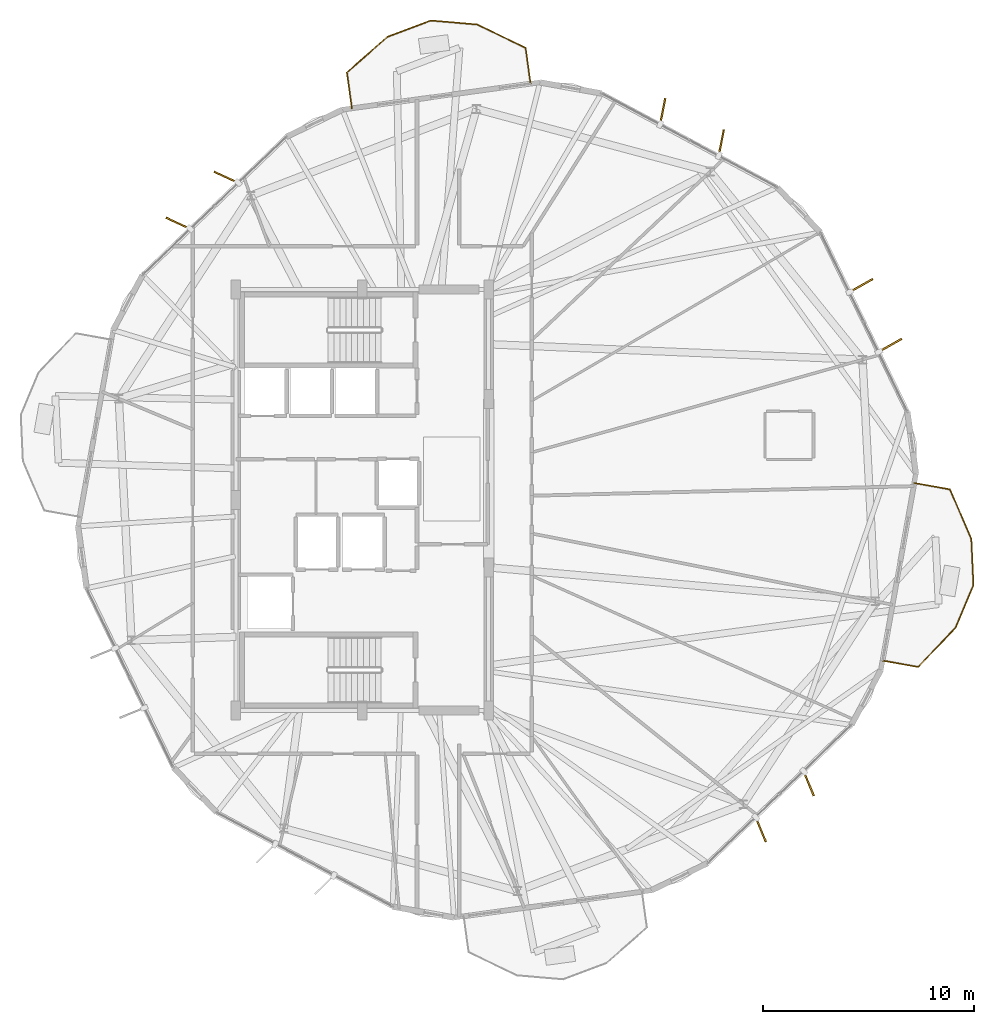
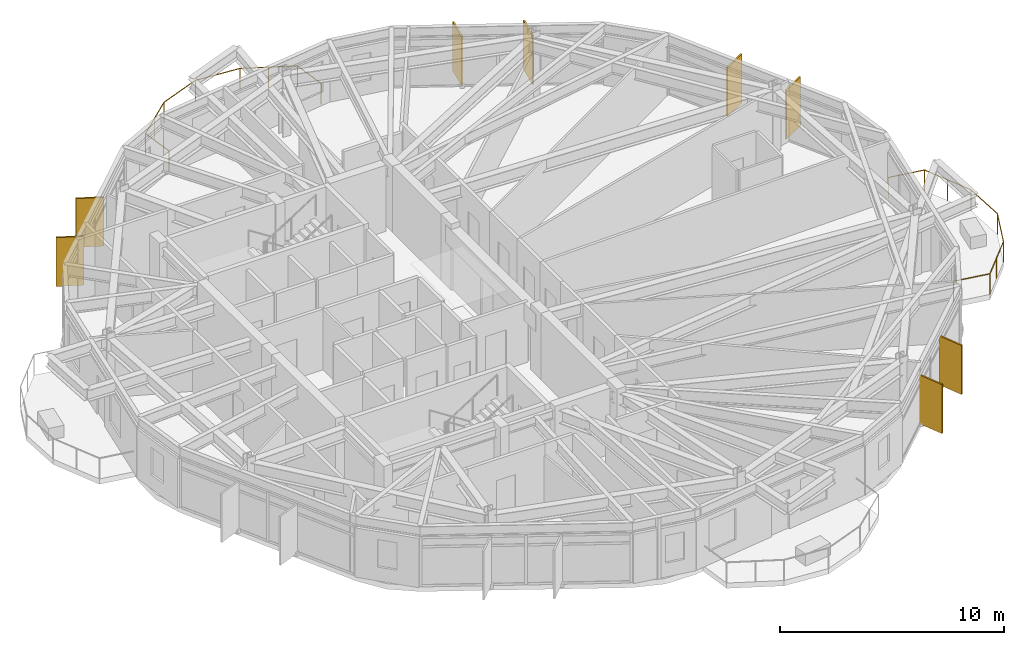
# One storey, part 26 of 26: 8 shading devices, 2 railings.
"""IFC4 building model written with IfcOpenShell, lengths in metres."""

from ifc_helpers import new_model, si_unit, direction, frame, origin, origin_2d, place, context, subcontext, project, spatial, rectangle, circle, extrude, material, layer, layer_set, type_object, element, save


model = new_model("IFC4")

# Units and contexts
model_context = context("Model", 3, precision=1e-05, world=origin(), true_north=direction((0.0, 1.0)))
body_context = subcontext(model_context, "Body", "Model", "MODEL_VIEW")
ifc_project = project(units=[si_unit("LENGTHUNIT", "METRE"), si_unit("AREAUNIT", "SQUARE_METRE"), si_unit("VOLUMEUNIT", "CUBIC_METRE"), si_unit("PLANEANGLEUNIT", "RADIAN"), si_unit("MASSUNIT", "GRAM", prefix="KILO")], contexts=[model_context])

# Site, building, storey
site_placement = place(None, origin())
site = spatial("IfcSite", under=ifc_project, at=site_placement, CompositionType="ELEMENT")
building_placement = place(site_placement, origin())
building = spatial("IfcBuilding", under=site, at=building_placement, Name="Soratama Intermodal Tower", CompositionType="ELEMENT")
storey_placement = place(building_placement, frame((0.0, 0.0, 194.199951171875)))
storey = spatial("IfcBuildingStorey", under=building, at=storey_placement, Name="L48", CompositionType="ELEMENT", Elevation=194.199951171875)

# Railings
ifc_material_1 = material(Name="Laminated glass and stainless steel balustrade", Category="steel")
railing_type = type_object("IfcRailingType", Name="RL-BAL-1150", PredefinedType="BALUSTRADE", material=ifc_material_1)
railing_1_placement = place(storey_placement, frame((64.826416015625, 25.8076171875, 0.0)))
element("IfcRailing", 1, at=railing_1_placement, inside=storey, type_object=railing_type, Name="L48 Balcony Balustrade 1", PredefinedType="BALUSTRADE", context=body_context, shape_type="SweptSolid", body=[
    extrude(circle(Radius=0.02392578125, at=origin_2d()), frame((0.0, 0.0, 1.1259765625), z_axis=(0.9843880728, -0.176011710205, 0.0), x_axis=(0.176011710205, 0.9843880728, 0.0)), (0.0, 0.0, 1.0), 1.719970703125),
    extrude(circle(Radius=0.02392578125, at=origin_2d()), frame((1.693115234375, -0.302734375, 1.1259765625), z_axis=(0.395605389727, -0.918420587541, 0.0), x_axis=(0.918420587541, 0.395605389727, 0.0)), (0.0, 0.0, 1.0), 2.56787109375),
    extrude(circle(Radius=0.02392578125, at=origin_2d()), frame((2.708984375, -2.6611328125, 1.1259765625), z_axis=(0.045558874162, -0.998961655413, 0.0), x_axis=(0.998961655413, 0.045558874162, 0.0)), (0.0, 0.0, 1.0), 2.197021484375),
    extrude(circle(Radius=0.02392578125, at=origin_2d()), frame((2.80908203125, -4.85595703125, 1.1259765625), z_axis=(-0.388951078014, -0.921258410497, 0.0), x_axis=(0.921258410497, -0.388951078014, 0.0)), (0.0, 0.0, 1.0), 2.197021484375),
    extrude(circle(Radius=0.02392578125, at=origin_2d()), frame((1.95458984375, -6.8798828125, 1.1259765625), z_axis=(-0.689396354238, -0.724384336359, 0.0), x_axis=(0.724384336359, -0.689396354238, 0.0)), (0.0, 0.0, 1.0), 2.56787109375),
    extrude(circle(Radius=0.02392578125, at=origin_2d()), frame((0.184326171875, -8.739990234375, 1.1259765625), z_axis=(-0.98439246935, 0.175987119665, 0.0), x_axis=(-0.175987119665, -0.98439246935, 0.0)), (0.0, 0.0, 1.0), 1.72021484375),
    extrude(circle(Radius=0.02099609375, at=origin_2d()), origin(), (0.0, 0.0, 1.0), 1.101806640625),
    extrude(circle(Radius=0.02099609375, at=origin_2d()), frame((1.693115234375, -0.302734375, 0.0)), (0.0, 0.0, 1.0), 1.101806640625),
    extrude(circle(Radius=0.02099609375, at=origin_2d()), frame((2.201171875, -1.48193359375, 0.0)), (0.0, 0.0, 1.0), 1.101806640625),
    extrude(circle(Radius=0.02099609375, at=origin_2d()), frame((2.708984375, -2.6611328125, 0.0)), (0.0, 0.0, 1.0), 1.101806640625),
    extrude(circle(Radius=0.02099609375, at=origin_2d()), frame((2.80908203125, -4.85595703125, 0.0)), (0.0, 0.0, 1.0), 1.101806640625),
    extrude(circle(Radius=0.02099609375, at=origin_2d()), frame((1.95458984375, -6.8798828125, 0.0)), (0.0, 0.0, 1.0), 1.101806640625),
    extrude(circle(Radius=0.02099609375, at=origin_2d()), frame((1.0693359375, -7.81005859375, 0.0)), (0.0, 0.0, 1.0), 1.101806640625),
    extrude(circle(Radius=0.02099609375, at=origin_2d()), frame((0.184326171875, -8.739990234375, 0.0)), (0.0, 0.0, 1.0), 1.101806640625),
    extrude(circle(Radius=0.02099609375, at=origin_2d()), frame((-1.509033203125, -8.437255859375, 0.0)), (0.0, 0.0, 1.0), 1.101806640625),
])
railing_2_placement = place(storey_placement, frame((38.105224609375, 43.6064453125, 0.0)))
element("IfcRailing", 2, at=railing_2_placement, inside=storey, type_object=railing_type, Name="L48 Balcony Balustrade 2", PredefinedType="BALUSTRADE", context=body_context, shape_type="SweptSolid", body=[
    extrude(circle(Radius=0.02392578125, at=origin_2d()), frame((0.0, 0.0, 1.1259765625), z_axis=(-0.136690231863, 0.990613840259, 0.0), x_axis=(-0.990613840259, -0.136690231863, 0.0)), (0.0, 0.0, 1.0), 1.719970703125),
    extrude(circle(Radius=0.02392578125, at=origin_2d()), frame((-0.235107421875, 1.703857421875, 1.1259765625), z_axis=(0.751179183995, 0.660098351409, 0.0), x_axis=(-0.660098351409, 0.751179183995, 0.0)), (0.0, 0.0, 1.0), 2.56787109375),
    extrude(circle(Radius=0.02392578125, at=origin_2d()), frame((1.69384765625, 3.39892578125, 1.1259765625), z_axis=(0.936022842187, 0.351939254566, 0.0), x_axis=(-0.351939254566, 0.936022842187, 0.0)), (0.0, 0.0, 1.0), 2.197021484375),
    extrude(circle(Radius=0.02392578125, at=origin_2d()), frame((3.750244140625, 4.172119140625, 1.1259765625), z_axis=(0.996360953617, -0.085234090054, 0.0), x_axis=(0.085234090054, 0.996360953617, 0.0)), (0.0, 0.0, 1.0), 2.197021484375),
    extrude(circle(Radius=0.02392578125, at=origin_2d()), frame((5.939208984375, 3.98486328125, 1.1259765625), z_axis=(0.901958773755, -0.431822151407, 0.0), x_axis=(0.431822151407, 0.901958773755, 0.0)), (0.0, 0.0, 1.0), 2.56787109375),
    extrude(circle(Radius=0.02392578125, at=origin_2d()), frame((8.25537109375, 2.8759765625, 1.1259765625), z_axis=(0.136709454526, -0.990611187623, 0.0), x_axis=(0.990611187623, 0.136709454526, 0.0)), (0.0, 0.0, 1.0), 1.7197265625),
    extrude(circle(Radius=0.02099609375, at=origin_2d()), origin(), (0.0, 0.0, 1.0), 1.101806640625),
    extrude(circle(Radius=0.02099609375, at=origin_2d()), frame((-0.235107421875, 1.703857421875, 0.0)), (0.0, 0.0, 1.0), 1.101806640625),
    extrude(circle(Radius=0.02099609375, at=origin_2d()), frame((0.7294921875, 2.55126953125, 0.0)), (0.0, 0.0, 1.0), 1.101806640625),
    extrude(circle(Radius=0.02099609375, at=origin_2d()), frame((1.69384765625, 3.39892578125, 0.0)), (0.0, 0.0, 1.0), 1.101806640625),
    extrude(circle(Radius=0.02099609375, at=origin_2d()), frame((3.750244140625, 4.172119140625, 0.0)), (0.0, 0.0, 1.0), 1.101806640625),
    extrude(circle(Radius=0.02099609375, at=origin_2d()), frame((5.939208984375, 3.98486328125, 0.0)), (0.0, 0.0, 1.0), 1.101806640625),
    extrude(circle(Radius=0.02099609375, at=origin_2d()), frame((7.09716796875, 3.430419921875, 0.0)), (0.0, 0.0, 1.0), 1.101806640625),
    extrude(circle(Radius=0.02099609375, at=origin_2d()), frame((8.25537109375, 2.8759765625, 0.0)), (0.0, 0.0, 1.0), 1.101806640625),
    extrude(circle(Radius=0.02099609375, at=origin_2d()), frame((8.490478515625, 1.17236328125, 0.0)), (0.0, 0.0, 1.0), 1.101806640625),
])

# Shading devices
ifc_material_2 = material(Name="Champagne anodised aluminium solar fin", Category="aluminium")
ifc_layer = layer(ifc_material_2, 0.080078125)
ifc_layer_set = layer_set([ifc_layer], Name="Champagne anodised aluminium solar fin")
shading_device_type = type_object("IfcShadingDeviceType", Name="SH-FIN-1250", PredefinedType="USERDEFINED", material=ifc_layer_set)
for number, where, z_axis, x_axis, name in (
    (3, (55.654541015625, 41.972900390625, 0.02001953125), (0.0, 0.0, 1.0), (0.1937206977, 0.981056721746, 0.0), "L48 Solar Fin F01-1"),
    (4, (52.87060546875, 43.461669921875, 0.02001953125), (0.0, 0.0, 1.0), (0.1937206977, 0.981056721746, 0.0), "L48 Solar Fin F01-2"),
    (5, (32.127685546875, 40.333740234375, 0.02001953125), (0.0, 0.0, 1.0), (-0.908070090085, 0.418818232045, 0.0), "L48 Solar Fin F03-1"),
    (6, (29.8515625, 38.146240234375, 0.02001953125), (0.0, 0.0, 1.0), (-0.908070090085, 0.418818232045, 0.0), "L48 Solar Fin F03-2"),
    (7, (57.533203125, 9.34033203125, 0.02001953125), (0.0, 0.0, 1.0), (0.382360914263, -0.92401305794, 0.0), "L48 Solar Fin F08-1"),
    (8, (59.8095703125, 11.528076171875, 0.02001953125), (0.0, 0.0, 1.0), (0.382360914263, -0.92401305794, 0.0), "L48 Solar Fin F08-2"),
    (9, (63.683837890625, 32.348876953125, 0.02001953125), (0.0, 0.0, 1.0), (0.869408707144, 0.494093614554, 0.0), "L48 Solar Fin F10-1"),
    (10, (62.306884765625, 35.18994140625, 0.02001953125), (0.0, 0.0, 1.0), (0.869408707144, 0.494093614554, 0.0), "L48 Solar Fin F10-2"),
):
    element("IfcShadingDevice", number, at=place(storey_placement, frame(where, z_axis=z_axis, x_axis=x_axis)), inside=storey, type_object=shading_device_type, Name=name, ObjectType="FIN", PredefinedType="USERDEFINED", context=body_context, shape_type="SweptSolid", body=[
        extrude(rectangle(XDim=1.25, YDim=0.080078125, at=origin_2d()), origin(), (0.0, 0.0, 1.0), 2.658935546875),
    ])

save(model, "model.ifc")
